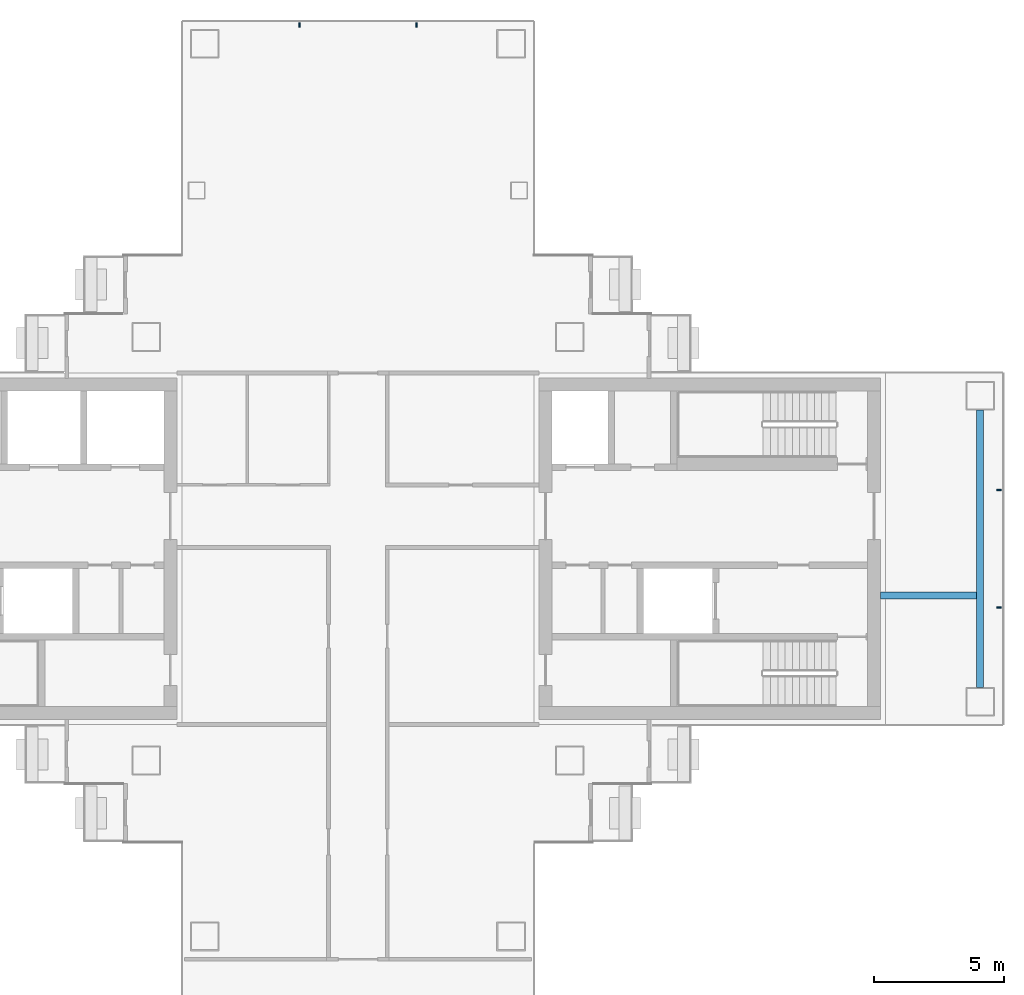
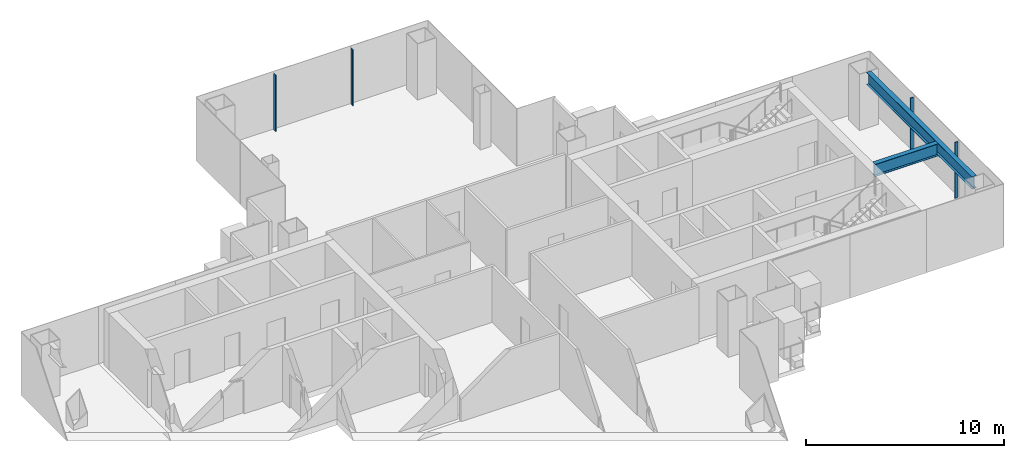
# One storey, part 6 of 17: 4 members, 2 beams, 2 elements without a shape of their own.
"""IFC4 building model written with IfcOpenShell, lengths in metres."""

from ifc_helpers import new_model, si_unit, direction, frame, origin, origin_2d, place, context, subcontext, project, spatial, rectangle, i_section, extrude, material, layer, layer_set, material_profile, profile_set, type_object, element, aggregate, save


model = new_model("IFC4")

# Units and contexts
model_context = context("Model", 3, precision=1e-05, world=origin(), true_north=direction((0.0, 1.0)))
body_context = subcontext(model_context, "Body", "Model", "MODEL_VIEW")
ifc_project = project(units=[si_unit("LENGTHUNIT", "METRE"), si_unit("AREAUNIT", "SQUARE_METRE"), si_unit("VOLUMEUNIT", "CUBIC_METRE"), si_unit("PLANEANGLEUNIT", "RADIAN"), si_unit("MASSUNIT", "GRAM", prefix="KILO")], contexts=[model_context])

# Site, building, storey
site_placement = place(None, origin())
site = spatial("IfcSite", under=ifc_project, at=site_placement, CompositionType="ELEMENT")
building_placement = place(site_placement, origin())
building = spatial("IfcBuilding", under=site, at=building_placement, Name="Shamsa Quay Exchange Towers", CompositionType="ELEMENT")
storey_placement = place(building_placement, frame((0.0, 0.0, 174.0)))
storey = spatial("IfcBuildingStorey", under=building, at=storey_placement, Name="L41", CompositionType="ELEMENT", Elevation=174.0)

# Curtain wall, members
ifc_material_1 = material(Name="Aluminium EN AW-6063 T6, black anodised", Category="aluminium")
ifc_layer = layer(ifc_material_1, 0.280029296875)
ifc_layer_set = layer_set([ifc_layer], Name="CW-1 UNITISED VISION GLASS")
curtain_wall_type = type_object("IfcCurtainWallType", Name="CW-1 UNITISED VISION GLASS", PredefinedType="NOTDEFINED", material=ifc_layer_set)
curtain_wall_1_placement = place(storey_placement, origin())
curtain_wall_1 = element("IfcCurtainWall", 1, at=curtain_wall_1_placement, inside=storey, type_object=curtain_wall_type, Name="CW1 T2-END-V- L41", PredefinedType="NOTDEFINED")
ifc_material_profile_1 = material_profile(ifc_material_1, rectangle(XDim=0.179931640625, YDim=0.06005859375, at=origin_2d()), Name="MU60x180")
ifc_profile_set_1 = profile_set([ifc_material_profile_1], Name="Aluminium EN AW-6063 T6, black anodised")
member_type = type_object("IfcMemberType", Name="CW1 MULLION 60x180", PredefinedType="MULLION", material=ifc_profile_set_1)
member_1_placement = place(storey_placement, frame((58.35009765625, -2.25, 0.0), z_axis=(0.0, 0.0, 1.0), x_axis=(-1.0, 0.0, 0.0)))
member_1 = element("IfcMember", 2, at=member_1_placement, type_object=member_type, Name="CW1 mullion", PredefinedType="MULLION", context=body_context, shape_type="SweptSolid", body=[
    extrude(rectangle(XDim=0.179931640625, YDim=0.06005859375, at=origin_2d()), origin(), (0.0, 0.0, 1.0), 3.449951171875),
])
member_2_placement = place(storey_placement, frame((58.35009765625, 2.25, 0.0), z_axis=(0.0, 0.0, 1.0), x_axis=(-1.0, 0.0, 0.0)))
member_2 = element("IfcMember", 3, at=member_2_placement, type_object=member_type, Name="CW1 mullion", PredefinedType="MULLION", context=body_context, shape_type="SweptSolid", body=[
    extrude(rectangle(XDim=0.179931640625, YDim=0.06005859375, at=origin_2d()), origin(), (0.0, 0.0, 1.0), 3.449951171875),
])
aggregate(curtain_wall_1, [member_1, member_2])

curtain_wall_2_placement = place(storey_placement, origin())
curtain_wall_2 = element("IfcCurtainWall", 4, at=curtain_wall_2_placement, inside=storey, type_object=curtain_wall_type, Name="CW1 T2-END-U+ L41", PredefinedType="NOTDEFINED")
member_3_placement = place(storey_placement, frame((36.0, 20.10009765625, 0.0), z_axis=(0.0, 0.0, 1.0), x_axis=(0.0, -1.0, 0.0)))
member_3 = element("IfcMember", 5, at=member_3_placement, type_object=member_type, Name="CW1 mullion", PredefinedType="MULLION", context=body_context, shape_type="SweptSolid", body=[
    extrude(rectangle(XDim=0.179931640625, YDim=0.06005859375, at=origin_2d()), origin(), (0.0, 0.0, 1.0), 3.449951171875),
])
member_4_placement = place(storey_placement, frame((31.5, 20.10009765625, 0.0), z_axis=(0.0, 0.0, 1.0), x_axis=(0.0, -1.0, 0.0)))
member_4 = element("IfcMember", 6, at=member_4_placement, type_object=member_type, Name="CW1 mullion", PredefinedType="MULLION", context=body_context, shape_type="SweptSolid", body=[
    extrude(rectangle(XDim=0.179931640625, YDim=0.06005859375, at=origin_2d()), origin(), (0.0, 0.0, 1.0), 3.449951171875),
])
aggregate(curtain_wall_2, [member_3, member_4])

# Beams
ifc_material_2 = material(Name="Steel S355", Category="steel")
ifc_material_profile_2 = material_profile(ifc_material_2, i_section(OverallWidth=0.26611328125, OverallDepth=0.7578125, WebThickness=0.013916015625, FlangeThickness=0.019287109375, at=origin_2d()), Name="W30x108")
ifc_profile_set_2 = profile_set([ifc_material_profile_2], Name="Steel S355")
beam_type = type_object("IfcBeamType", Name="End-zone beam W30x108", PredefinedType="BEAM", material=ifc_profile_set_2)
beam_1_placement = place(storey_placement, frame((57.625, -5.324951171875, 3.071044921875), z_axis=(0.0, 1.0, 0.0), x_axis=(-1.0, 0.0, 0.0)))
element("IfcBeam", 7, at=beam_1_placement, inside=storey, type_object=beam_type, Name="End beam T2 V- end zone L41", PredefinedType="BEAM", context=body_context, shape_type="SweptSolid", body=[
    extrude(i_section(OverallWidth=0.26611328125, OverallDepth=0.7578125, WebThickness=0.013916015625, FlangeThickness=0.019287109375, at=origin_2d()), origin(), (0.0, 0.0, 1.0), 10.64990234375),
])
beam_2_placement = place(storey_placement, frame((53.800048828125, -1.800048828125, 3.071044921875), z_axis=(1.0, 0.0, 0.0), x_axis=(0.0, 1.0, 0.0)))
element("IfcBeam", 8, at=beam_2_placement, inside=storey, type_object=beam_type, Name="Spine beam T2 V- end zone L41", PredefinedType="BEAM", context=body_context, shape_type="SweptSolid", body=[
    extrude(i_section(OverallWidth=0.26611328125, OverallDepth=0.7578125, WebThickness=0.013916015625, FlangeThickness=0.019287109375, at=origin_2d()), origin(), (0.0, 0.0, 1.0), 3.69189453125),
])

save(model, "model.ifc")
